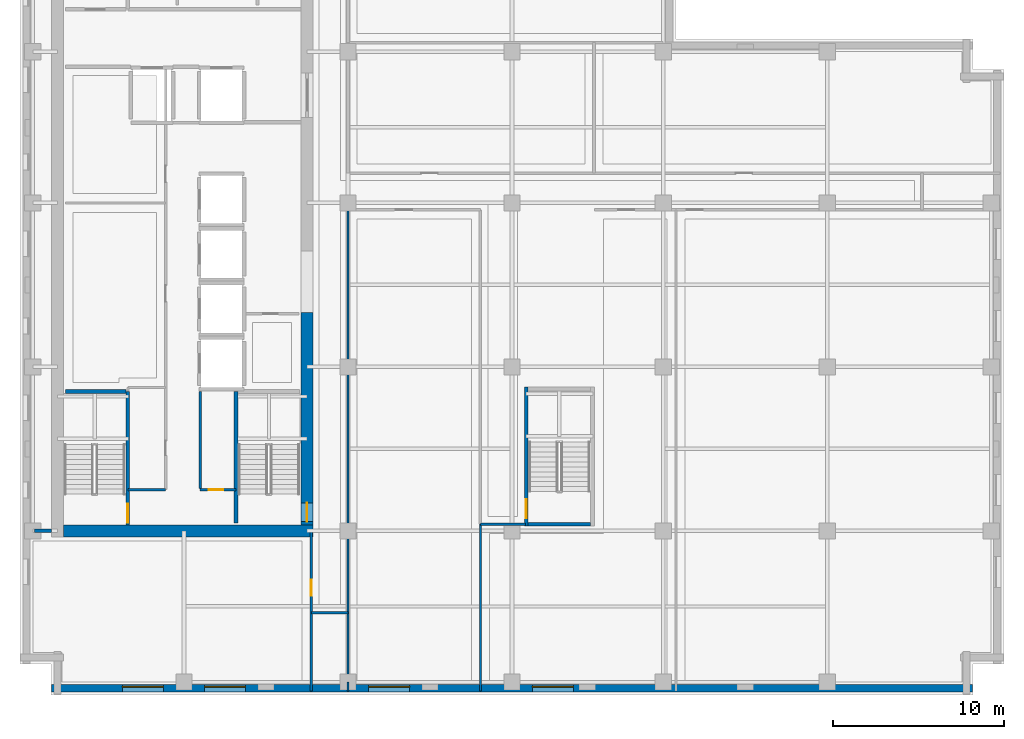
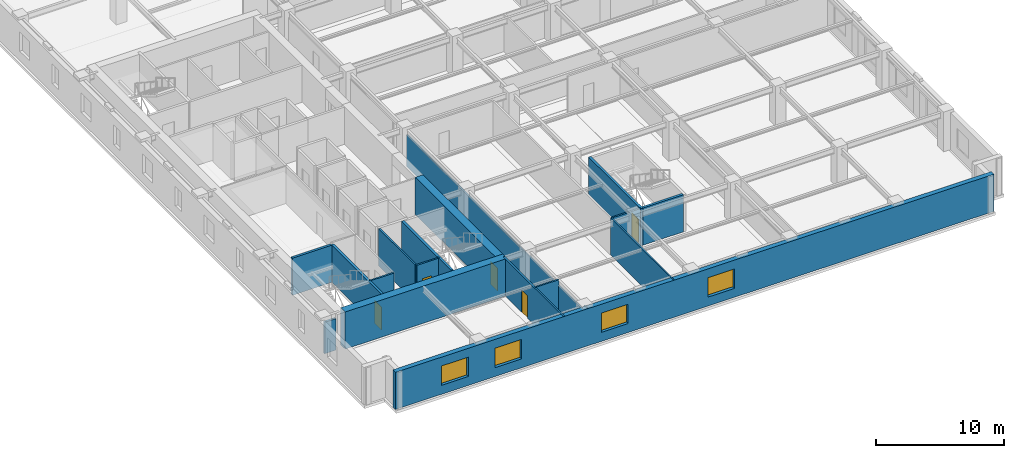
# One storey, part 3 of 12: 18 walls, 5 doors, 4 windows, 9 openings.
"""IFC4 building model written with IfcOpenShell, lengths in metres."""

from ifc_helpers import new_model, si_unit, direction, frame, frame_2d, origin, place, context, subcontext, project, spatial, rectangle, extrude, material, layer, layer_set, type_object, element, fill, save


model = new_model("IFC4")

# Units and contexts
model_context = context("Model", 3, precision=1e-05, world=origin(), true_north=direction((0.0, 1.0)))
body_context = subcontext(model_context, "Body", "Model", "MODEL_VIEW")
ifc_project = project(units=[si_unit("LENGTHUNIT", "METRE"), si_unit("AREAUNIT", "SQUARE_METRE"), si_unit("VOLUMEUNIT", "CUBIC_METRE"), si_unit("PLANEANGLEUNIT", "RADIAN"), si_unit("MASSUNIT", "GRAM", prefix="KILO")], contexts=[model_context])

# Site, building, storey
site_placement = place(None, origin())
site = spatial("IfcSite", under=ifc_project, at=site_placement, CompositionType="ELEMENT")
building_placement = place(site_placement, origin())
building = spatial("IfcBuilding", under=site, at=building_placement, Name="Norrvale University Quadrangle", CompositionType="ELEMENT")
storey_placement = place(building_placement, frame((0.0, 0.0, 182.60009765625)))
storey = spatial("IfcBuildingStorey", under=building, at=storey_placement, Name="L46", CompositionType="ELEMENT", Elevation=182.60009765625)

# Wall, openings, windows
ifc_material_1 = material(Name="Buff Norman Clay Brick Masonry", Category="masonry")
ifc_layer_1 = layer(ifc_material_1, 0.419921875, Name="Buff Norman Clay Brick Masonry")
ifc_layer_set_1 = layer_set([ifc_layer_1], Name="Buff Norman Clay Brick Masonry")
wall_type_1 = type_object("IfcWallType", Name="Wall Buff Brick 420", PredefinedType="SOLIDWALL", material=ifc_layer_set_1)
wall_1_placement = place(storey_placement, frame((1.840087890625, 0.389892578125, 0.0), z_axis=(0.0, 0.0, 1.0), x_axis=(1.0, 0.0, 0.0)))
wall_1 = element("IfcWall", 1, at=wall_1_placement, inside=storey, type_object=wall_type_1, Name="Exterior Brick Facade Wall L46-01.1", PredefinedType="SOLIDWALL", context=body_context, shape_type="SweptSolid", body=[
    extrude(rectangle(XDim=53.919921875, YDim=0.419921875, at=frame_2d((26.9599609375, 0.0))), origin(), (0.0, 0.0, 1.0), 3.539794921875),
])
opening_1_placement = place(wall_1_placement, frame((4.159912109375, 0.0, 0.85009765625)))
opening_1 = element("IfcOpeningElement", 2, at=opening_1_placement, cuts=wall_1, Name="Opening W02", PredefinedType="OPENING", context=body_context, shape_type="SweptSolid", body=[
    extrude(rectangle(XDim=2.39990234375, YDim=1.85009765625, at=frame_2d((1.199951171875, 0.925048828125))), frame((0.0, 0.221923828125, 0.0), z_axis=(0.0, -1.0, 0.0), x_axis=(1.0, 0.0, 0.0)), (0.0, 0.0, 1.0), 0.44384765625),
])
opening_2_placement = place(wall_1_placement, frame((8.9599609375, 0.0, 0.85009765625)))
opening_2 = element("IfcOpeningElement", 3, at=opening_2_placement, cuts=wall_1, Name="Opening W02", PredefinedType="OPENING", context=body_context, shape_type="SweptSolid", body=[
    extrude(rectangle(XDim=2.39990234375, YDim=1.85009765625, at=frame_2d((1.199951171875, 0.925048828125))), frame((0.0, 0.221923828125, 0.0), z_axis=(0.0, -1.0, 0.0), x_axis=(1.0, 0.0, 0.0)), (0.0, 0.0, 1.0), 0.44384765625),
])
opening_3_placement = place(wall_1_placement, frame((18.56005859375, 0.0, 0.85009765625)))
opening_3 = element("IfcOpeningElement", 4, at=opening_3_placement, cuts=wall_1, Name="Opening W02", PredefinedType="OPENING", context=body_context, shape_type="SweptSolid", body=[
    extrude(rectangle(XDim=2.39990234375, YDim=1.85009765625, at=frame_2d((1.199951171875, 0.925048828125))), frame((0.0, 0.221923828125, 0.0), z_axis=(0.0, -1.0, 0.0), x_axis=(1.0, 0.0, 0.0)), (0.0, 0.0, 1.0), 0.44384765625),
])
opening_4_placement = place(wall_1_placement, frame((28.159912109375, 0.0, 0.85009765625)))
opening_4 = element("IfcOpeningElement", 5, at=opening_4_placement, cuts=wall_1, Name="Opening W02", PredefinedType="OPENING", context=body_context, shape_type="SweptSolid", body=[
    extrude(rectangle(XDim=2.39990234375, YDim=1.85009765625, at=frame_2d((1.199951171875, 0.925048828125))), frame((0.0, 0.221923828125, 0.0), z_axis=(0.0, -1.0, 0.0), x_axis=(1.0, 0.0, 0.0)), (0.0, 0.0, 1.0), 0.44384765625),
])
ifc_material_2 = material(Name="Triple Low-E Argon Glazing", Category="glass")
window_type = type_object("IfcWindowType", Name="Window Academic 2400x2300", PartitioningType="TRIPLE_PANEL_VERTICAL", PredefinedType="WINDOW", material=ifc_material_2)
window_1_placement = place(opening_1_placement, origin())
window_1 = element("IfcWindow", 6, at=window_1_placement, inside=storey, type_object=window_type, Name="Window Academic 2400x2300 WIN-L46-E01-1-01", OverallHeight=1.85009765625, OverallWidth=2.39990234375, PartitioningType="TRIPLE_PANEL_VERTICAL", PredefinedType="WINDOW", context=body_context, shape_type="SweptSolid", body=[
    extrude(rectangle(XDim=2.39990234375, YDim=1.85009765625, at=frame_2d((1.199951171875, 0.925048828125))), frame((0.0, 0.110107421875, 0.0), z_axis=(0.0, -1.0, 0.0), x_axis=(1.0, 0.0, 0.0)), (0.0, 0.0, 1.0), 0.06005859375),
])
fill(opening_1, window_1)
window_2_placement = place(opening_2_placement, origin())
window_2 = element("IfcWindow", 7, at=window_2_placement, inside=storey, type_object=window_type, Name="Window Academic 2400x2300 WIN-L46-E01-1-02", OverallHeight=1.85009765625, OverallWidth=2.39990234375, PartitioningType="TRIPLE_PANEL_VERTICAL", PredefinedType="WINDOW", context=body_context, shape_type="SweptSolid", body=[
    extrude(rectangle(XDim=2.39990234375, YDim=1.85009765625, at=frame_2d((1.199951171875, 0.925048828125))), frame((0.0, 0.110107421875, 0.0), z_axis=(0.0, -1.0, 0.0), x_axis=(1.0, 0.0, 0.0)), (0.0, 0.0, 1.0), 0.06005859375),
])
fill(opening_2, window_2)
window_3_placement = place(opening_3_placement, origin())
window_3 = element("IfcWindow", 8, at=window_3_placement, inside=storey, type_object=window_type, Name="Window Academic 2400x2300 WIN-L46-E01-1-03", OverallHeight=1.85009765625, OverallWidth=2.39990234375, PartitioningType="TRIPLE_PANEL_VERTICAL", PredefinedType="WINDOW", context=body_context, shape_type="SweptSolid", body=[
    extrude(rectangle(XDim=2.39990234375, YDim=1.85009765625, at=frame_2d((1.199951171875, 0.925048828125))), frame((0.0, 0.110107421875, 0.0), z_axis=(0.0, -1.0, 0.0), x_axis=(1.0, 0.0, 0.0)), (0.0, 0.0, 1.0), 0.06005859375),
])
fill(opening_3, window_3)
window_4_placement = place(opening_4_placement, origin())
window_4 = element("IfcWindow", 9, at=window_4_placement, inside=storey, type_object=window_type, Name="Window Academic 2400x2300 WIN-L46-E01-1-04", OverallHeight=1.85009765625, OverallWidth=2.39990234375, PartitioningType="TRIPLE_PANEL_VERTICAL", PredefinedType="WINDOW", context=body_context, shape_type="SweptSolid", body=[
    extrude(rectangle(XDim=2.39990234375, YDim=1.85009765625, at=frame_2d((1.199951171875, 0.925048828125))), frame((0.0, 0.110107421875, 0.0), z_axis=(0.0, -1.0, 0.0), x_axis=(1.0, 0.0, 0.0)), (0.0, 0.0, 1.0), 0.06005859375),
])
fill(opening_4, window_4)

# Wall
ifc_material_3 = material(Name="Concrete C60/75", Category="concrete")
ifc_layer_2 = layer(ifc_material_3, 0.699951171875, Name="Concrete C60/75")
ifc_layer_set_2 = layer_set([ifc_layer_2], Name="Concrete C60/75")
wall_type_2 = type_object("IfcWallType", Name="Wall Core 700", PredefinedType="SHEAR", material=ifc_layer_set_2)
wall_2_placement = place(storey_placement, frame((2.550048828125, 9.60009765625, 0.0), z_axis=(0.0, 0.0, 1.0), x_axis=(1.0, 0.0, 0.0)))
element("IfcWall", 10, at=wall_2_placement, inside=storey, type_object=wall_type_2, Name="Tower Core Shear Wall L46-S", PredefinedType="SHEAR", context=body_context, shape_type="SweptSolid", body=[
    extrude(rectangle(XDim=14.599853515625, YDim=0.699951171875, at=frame_2d((7.2998046875, 0.0))), origin(), (0.0, 0.0, 1.0), 3.539794921875),
])

# Wall, opening, door
wall_3_placement = place(storey_placement, frame((16.800048828125, 9.949951171875, 0.0), z_axis=(0.0, 0.0, 1.0), x_axis=(0.0, 1.0, 0.0)))
wall_3 = element("IfcWall", 11, at=wall_3_placement, inside=storey, type_object=wall_type_2, Name="Tower Core Shear Wall L46-E1", PredefinedType="SHEAR", context=body_context, shape_type="SweptSolid", body=[
    extrude(rectangle(XDim=12.449951171875, YDim=0.699951171875, at=frame_2d((6.22509765625, 0.0))), origin(), (0.0, 0.0, 1.0), 3.539794921875),
])
opening_5_placement = place(wall_3_placement, frame((0.18994140625, 0.0, 0.0)))
opening_5 = element("IfcOpeningElement", 12, at=opening_5_placement, cuts=wall_3, Name="Opening D02", PredefinedType="OPENING", context=body_context, shape_type="SweptSolid", body=[
    extrude(rectangle(XDim=1.10009765625, YDim=2.199951171875, at=frame_2d((0.550048828125, 1.10009765625))), frame((0.0, 0.362060546875, 0.0), z_axis=(0.0, -1.0, 0.0), x_axis=(1.0, 0.0, 0.0)), (0.0, 0.0, 1.0), 0.723876953125),
])
ifc_material_4 = material(Name="Hollow Steel 350W Fire Door", Category="steel")
door_type_1 = type_object("IfcDoorType", Name="Door Stair Exit 1100x2200", OperationType="NOTDEFINED", PredefinedType="DOOR", material=ifc_material_4)
door_1_placement = place(opening_5_placement, origin())
door_1 = element("IfcDoor", 13, at=door_1_placement, inside=storey, type_object=door_type_1, Name="Door Stair Exit 1100x2200 DR-L46-ST03", OperationType="SINGLE_SWING_LEFT", OverallHeight=2.199951171875, OverallWidth=1.10009765625, PredefinedType="DOOR", context=body_context, shape_type="SweptSolid", body=[
    extrude(rectangle(XDim=1.10009765625, YDim=2.199951171875, at=frame_2d((0.550048828125, 1.10009765625))), frame((0.0, 0.02490234375, 0.0), z_axis=(0.0, -1.0, 0.0), x_axis=(1.0, 0.0, 0.0)), (0.0, 0.0, 1.0), 0.050048828125),
])
fill(opening_5, door_1)

# Walls
ifc_material_5 = material(Name="Standard Academic Gypsum Partition")
ifc_layer_3 = layer(ifc_material_5, 0.125, Name="Standard Academic Gypsum Partition")
ifc_layer_set_3 = layer_set([ifc_layer_3], Name="Standard Academic Gypsum Partition")
wall_type_3 = type_object("IfcWallType", Name="Wall Gypsum Academic 125", PredefinedType="PARTITIONING", material=ifc_layer_set_3)
wall_4_placement = place(storey_placement, frame((19.199951171875, 0.219970703125, 0.0), z_axis=(0.0, 0.0, 1.0), x_axis=(0.0, 1.0, 0.0)))
element("IfcWall", 14, at=wall_4_placement, inside=storey, type_object=wall_type_3, Name="Interior Partition WL-L46-SE-W0", PredefinedType="PARTITIONING", context=body_context, shape_type="SweptSolid", body=[
    extrude(rectangle(XDim=0.530029296875, YDim=0.125, at=frame_2d((0.26513671875, 0.0))), origin(), (0.0, 0.0, 1.0), 3.539794921875),
])
wall_5_placement = place(storey_placement, frame((19.199951171875, 0.75, 0.0), z_axis=(0.0, 0.0, 1.0), x_axis=(0.0, 1.0, 0.0)))
element("IfcWall", 15, at=wall_5_placement, inside=storey, type_object=wall_type_3, Name="Interior Partition WL-L46-SE-W0-B2", PredefinedType="PARTITIONING", context=body_context, shape_type="SweptSolid", body=[
    extrude(rectangle(XDim=27.64990234375, YDim=0.125, at=frame_2d((13.824951171875, 0.0))), origin(), (0.0, 0.0, 1.0), 3.0068359375),
])
wall_6_placement = place(storey_placement, frame((26.949951171875, 0.219970703125, 0.0), z_axis=(0.0, 0.0, 1.0), x_axis=(0.0, 1.0, 0.0)))
element("IfcWall", 16, at=wall_6_placement, inside=storey, type_object=wall_type_3, Name="Interior Partition WL-L46-SEP1A", PredefinedType="PARTITIONING", context=body_context, shape_type="SweptSolid", body=[
    extrude(rectangle(XDim=9.780029296875, YDim=0.125, at=frame_2d((4.89013671875, 0.0))), origin(), (0.0, 0.0, 1.0), 3.539794921875),
])

# Wall, opening, door
ifc_material_6 = material(Name="Fire-Rated Gypsum Stud Partition")
ifc_layer_4 = layer(ifc_material_6, 0.14990234375, Name="Fire-Rated Gypsum Stud Partition")
ifc_layer_set_4 = layer_set([ifc_layer_4], Name="Fire-Rated Gypsum Stud Partition")
wall_type_4 = type_object("IfcWallType", Name="Wall Gypsum Corridor 150", PredefinedType="PARTITIONING", material=ifc_layer_set_4)
wall_7_placement = place(storey_placement, frame((10.550048828125, 12.02001953125, 0.0), z_axis=(0.0, 0.0, 1.0), x_axis=(1.0, 0.0, 0.0)))
wall_7 = element("IfcWall", 17, at=wall_7_placement, inside=storey, type_object=wall_type_4, Name="Interior Partition WL-L46-SC-NR", PredefinedType="PARTITIONING", context=body_context, shape_type="SweptSolid", body=[
    extrude(rectangle(XDim=2.079833984375, YDim=0.14990234375, at=frame_2d((1.0400390625, 0.0))), origin(), (0.0, 0.0, 1.0), 3.539794921875),
])
opening_6_placement = place(wall_7_placement, frame((0.5, 0.0, 0.0)))
opening_6 = element("IfcOpeningElement", 18, at=opening_6_placement, cuts=wall_7, Name="Opening D10", PredefinedType="OPENING", context=body_context, shape_type="SweptSolid", body=[
    extrude(rectangle(XDim=0.85009765625, YDim=2.10009765625, at=frame_2d((0.425048828125, 1.050048828125))), frame((0.0, 0.0869140625, 0.0), z_axis=(0.0, -1.0, 0.0), x_axis=(1.0, 0.0, 0.0)), (0.0, 0.0, 1.0), 0.173828125),
])
ifc_material_7 = material(Name="Hollow Steel 350W Riser Fire Door", Category="steel")
door_type_2 = type_object("IfcDoorType", Name="Door Riser 850x2100", OperationType="NOTDEFINED", PredefinedType="DOOR", material=ifc_material_7)
door_2_placement = place(opening_6_placement, origin())
door_2 = element("IfcDoor", 19, at=door_2_placement, inside=storey, type_object=door_type_2, Name="Door Riser 850x2100 DR-L46-IDF", OperationType="SINGLE_SWING_RIGHT", OverallHeight=2.10009765625, OverallWidth=0.85009765625, PredefinedType="DOOR", context=body_context, shape_type="SweptSolid", body=[
    extrude(rectangle(XDim=0.85009765625, YDim=2.10009765625, at=frame_2d((0.425048828125, 1.050048828125))), frame((0.0, 0.02490234375, 0.0), z_axis=(0.0, -1.0, 0.0), x_axis=(1.0, 0.0, 0.0)), (0.0, 0.0, 1.0), 0.050048828125),
])
fill(opening_6, door_2)

# Walls
wall_8_placement = place(storey_placement, frame((10.550048828125, 12.094970703125, 0.0), z_axis=(0.0, 0.0, 1.0), x_axis=(0.0, 1.0, 0.0)))
element("IfcWall", 20, at=wall_8_placement, inside=storey, type_object=wall_type_4, Name="Interior Partition WL-L46-SC-WR", PredefinedType="PARTITIONING", context=body_context, shape_type="SweptSolid", body=[
    extrude(rectangle(XDim=5.679931640625, YDim=0.14990234375, at=frame_2d((2.83984375, 0.0))), origin(), (0.0, 0.0, 1.0), 3.539794921875),
])
wall_9_placement = place(storey_placement, frame((6.320068359375, 12.02001953125, 0.0), z_axis=(0.0, 0.0, 1.0), x_axis=(1.0, 0.0, 0.0)))
element("IfcWall", 21, at=wall_9_placement, inside=storey, type_object=wall_type_4, Name="Interior Partition WL-L46-REC-S", PredefinedType="PARTITIONING", context=body_context, shape_type="SweptSolid", body=[
    extrude(rectangle(XDim=2.199951171875, YDim=0.14990234375, at=frame_2d((1.10009765625, 0.0))), origin(), (0.0, 0.0, 1.0), 3.539794921875),
])
wall_10_placement = place(storey_placement, frame((17.050048828125, 4.800048828125, 0.0), z_axis=(0.0, 0.0, 1.0), x_axis=(1.0, 0.0, 0.0)))
element("IfcWall", 22, at=wall_10_placement, inside=storey, type_object=wall_type_4, Name="Interior Partition WL-L46-CSP-S", PredefinedType="PARTITIONING", context=body_context, shape_type="SweptSolid", body=[
    extrude(rectangle(XDim=2.14990234375, YDim=0.14990234375, at=frame_2d((1.074951171875, 0.0))), origin(), (0.0, 0.0, 1.0), 3.539794921875),
])

# Wall, opening, door
wall_11_placement = place(storey_placement, frame((17.050048828125, 0.219970703125, 0.0), z_axis=(0.0, 0.0, 1.0), x_axis=(0.0, 1.0, 0.0)))
wall_11 = element("IfcWall", 23, at=wall_11_placement, inside=storey, type_object=wall_type_4, Name="Interior Partition WL-L46-SW-E", PredefinedType="PARTITIONING", context=body_context, shape_type="SweptSolid", body=[
    extrude(rectangle(XDim=9.380126953125, YDim=0.14990234375, at=frame_2d((4.68994140625, 0.0))), origin(), (0.0, 0.0, 1.0), 3.539794921875),
])
opening_7_placement = place(wall_11_placement, frame((5.580078125, 0.0, 0.0)))
opening_7 = element("IfcOpeningElement", 24, at=opening_7_placement, cuts=wall_11, Name="Opening D07", PredefinedType="OPENING", context=body_context, shape_type="SweptSolid", body=[
    extrude(rectangle(XDim=0.949951171875, YDim=2.14990234375, at=frame_2d((0.47509765625, 1.074951171875))), frame((0.0, 0.0869140625, 0.0), z_axis=(0.0, -1.0, 0.0), x_axis=(1.0, 0.0, 0.0)), (0.0, 0.0, 1.0), 0.173828125),
])
ifc_material_8 = material(Name="Solid-Core Maple Door", Category="wood")
door_type_3 = type_object("IfcDoorType", Name="Door Office 950x2150", OperationType="NOTDEFINED", PredefinedType="DOOR", material=ifc_material_8)
door_3_placement = place(opening_7_placement, origin())
door_3 = element("IfcDoor", 25, at=door_3_placement, inside=storey, type_object=door_type_3, Name="Door Office 950x2150 DR-L46-SW1", OperationType="SINGLE_SWING_LEFT", OverallHeight=2.14990234375, OverallWidth=0.949951171875, PredefinedType="DOOR", context=body_context, shape_type="SweptSolid", body=[
    extrude(rectangle(XDim=0.949951171875, YDim=2.14990234375, at=frame_2d((0.47509765625, 1.074951171875))), frame((0.0, 0.02490234375, 0.0), z_axis=(0.0, -1.0, 0.0), x_axis=(1.0, 0.0, 0.0)), (0.0, 0.0, 1.0), 0.050048828125),
])
fill(opening_7, door_3)

# Walls
wall_12_placement = place(storey_placement, frame((26.949951171875, 10.0, 0.0), z_axis=(0.0, 0.0, 1.0), x_axis=(1.0, 0.0, 0.0)))
element("IfcWall", 26, at=wall_12_placement, inside=storey, type_object=wall_type_4, Name="Interior Partition WL-L46-SEP1C", PredefinedType="PARTITIONING", context=body_context, shape_type="SweptSolid", body=[
    extrude(rectangle(XDim=2.630126953125, YDim=0.14990234375, at=frame_2d((1.31494140625, 0.0))), origin(), (0.0, 0.0, 1.0), 3.539794921875),
])
ifc_material_9 = material(Name="Concrete Blockwork 20 MPa Rated Wall", Category="masonry")
ifc_layer_5 = layer(ifc_material_9, 0.199951171875, Name="Concrete Blockwork 20 MPa Rated Wall")
ifc_layer_set_5 = layer_set([ifc_layer_5], Name="Concrete Blockwork 20 MPa Rated Wall")
wall_type_5 = type_object("IfcWallType", Name="Wall Lobby 200", PredefinedType="SOLIDWALL", material=ifc_layer_set_5)
wall_13_placement = place(storey_placement, frame((0.85009765625, 9.60009765625, 0.0), z_axis=(0.0, 0.0, 1.0), x_axis=(1.0, 0.0, 0.0)))
element("IfcWall", 27, at=wall_13_placement, inside=storey, type_object=wall_type_5, Name="Interior Partition WL-L46-CWRET-S", PredefinedType="SOLIDWALL", context=body_context, shape_type="SweptSolid", body=[
    extrude(rectangle(XDim=0.994873046875, YDim=0.199951171875, at=frame_2d((0.49755859375, 0.0))), origin(), (0.0, 0.0, 1.0), 3.0068359375),
])

# Wall, opening, door
ifc_material_10 = material(Name="Concrete Blockwork 20 MPa Fire Shaft", Category="masonry")
ifc_layer_6 = layer(ifc_material_10, 0.219970703125, Name="Concrete Blockwork 20 MPa Fire Shaft")
ifc_layer_set_6 = layer_set([ifc_layer_6], Name="Concrete Blockwork 20 MPa Fire Shaft")
wall_type_6 = type_object("IfcWallType", Name="Wall Shaft 220", PredefinedType="SOLIDWALL", material=ifc_layer_set_6)
wall_14_placement = place(storey_placement, frame((6.31005859375, 9.949951171875, 0.0), z_axis=(0.0, 0.0, 1.0), x_axis=(0.0, 1.0, 0.0)))
wall_14 = element("IfcWall", 28, at=wall_14_placement, inside=storey, type_object=wall_type_6, Name="Stair ST-01 East Shaft Wall L46", PredefinedType="SOLIDWALL", context=body_context, shape_type="SweptSolid", body=[
    extrude(rectangle(XDim=7.81005859375, YDim=0.219970703125, at=frame_2d((3.905029296875, 0.0))), origin(), (0.0, 0.0, 1.0), 3.539794921875),
])
opening_8_placement = place(wall_14_placement, frame((0.139892578125, 0.0, 0.0)))
opening_8 = element("IfcOpeningElement", 29, at=opening_8_placement, cuts=wall_14, Name="Opening D02", PredefinedType="OPENING", context=body_context, shape_type="SweptSolid", body=[
    extrude(rectangle(XDim=1.10009765625, YDim=2.199951171875, at=frame_2d((0.550048828125, 1.10009765625))), frame((0.0, 0.1220703125, 0.0), z_axis=(0.0, -1.0, 0.0), x_axis=(1.0, 0.0, 0.0)), (0.0, 0.0, 1.0), 0.243896484375),
])
door_4_placement = place(opening_8_placement, origin())
door_4 = element("IfcDoor", 30, at=door_4_placement, inside=storey, type_object=door_type_1, Name="Door Stair Exit 1100x2200 DR-L46-ST01", OperationType="SINGLE_SWING_LEFT", OverallHeight=2.199951171875, OverallWidth=1.10009765625, PredefinedType="DOOR", context=body_context, shape_type="SweptSolid", body=[
    extrude(rectangle(XDim=1.10009765625, YDim=2.199951171875, at=frame_2d((0.550048828125, 1.10009765625))), frame((0.0, 0.02490234375, 0.0), z_axis=(0.0, -1.0, 0.0), x_axis=(1.0, 0.0, 0.0)), (0.0, 0.0, 1.0), 0.050048828125),
])
fill(opening_8, door_4)

# Walls
wall_15_placement = place(storey_placement, frame((2.64990234375, 17.760009765625, 0.0), z_axis=(0.0, 0.0, 1.0), x_axis=(1.0, 0.0, 0.0)))
element("IfcWall", 31, at=wall_15_placement, inside=storey, type_object=wall_type_6, Name="Stair ST-01 North Shaft Wall L46", PredefinedType="SOLIDWALL", context=body_context, shape_type="SweptSolid", body=[
    extrude(rectangle(XDim=3.550048828125, YDim=0.219970703125, at=frame_2d((1.77490234375, 0.0))), origin(), (0.0, 0.0, 1.0), 3.539794921875),
])
wall_16_placement = place(storey_placement, frame((12.639892578125, 10.050048828125, 0.0), z_axis=(0.0, 0.0, 1.0), x_axis=(0.0, 1.0, 0.0)))
element("IfcWall", 32, at=wall_16_placement, inside=storey, type_object=wall_type_6, Name="Stair ST-03 West Shaft Wall L46", PredefinedType="SOLIDWALL", context=body_context, shape_type="SweptSolid", body=[
    extrude(rectangle(XDim=7.7099609375, YDim=0.219970703125, at=frame_2d((3.85498046875, 0.0))), origin(), (0.0, 0.0, 1.0), 3.539794921875),
])
wall_17_placement = place(storey_placement, frame((29.75, 9.989990234375, 0.0), z_axis=(0.0, 0.0, 1.0), x_axis=(1.0, 0.0, 0.0)))
element("IfcWall", 33, at=wall_17_placement, inside=storey, type_object=wall_type_6, Name="Stair ST-04 South Shaft Wall L46", PredefinedType="SOLIDWALL", context=body_context, shape_type="SweptSolid", body=[
    extrude(rectangle(XDim=3.64990234375, YDim=0.219970703125, at=frame_2d((1.824951171875, 0.0))), origin(), (0.0, 0.0, 1.0), 3.539794921875),
])

# Wall, opening, door
wall_18_placement = place(storey_placement, frame((29.639892578125, 9.8798828125, 0.0), z_axis=(0.0, 0.0, 1.0), x_axis=(0.0, 1.0, 0.0)))
wall_18 = element("IfcWall", 34, at=wall_18_placement, inside=storey, type_object=wall_type_6, Name="Stair ST-04 West Shaft Wall L46", PredefinedType="SOLIDWALL", context=body_context, shape_type="SweptSolid", body=[
    extrude(rectangle(XDim=8.14013671875, YDim=0.219970703125, at=frame_2d((4.070068359375, 0.0))), origin(), (0.0, 0.0, 1.0), 3.539794921875),
])
opening_9_placement = place(wall_18_placement, frame((0.469970703125, 0.0, 0.0)))
opening_9 = element("IfcOpeningElement", 35, at=opening_9_placement, cuts=wall_18, Name="Opening D02", PredefinedType="OPENING", context=body_context, shape_type="SweptSolid", body=[
    extrude(rectangle(XDim=1.10009765625, YDim=2.199951171875, at=frame_2d((0.550048828125, 1.10009765625))), frame((0.0, 0.1220703125, 0.0), z_axis=(0.0, -1.0, 0.0), x_axis=(1.0, 0.0, 0.0)), (0.0, 0.0, 1.0), 0.243896484375),
])
door_5_placement = place(opening_9_placement, frame((1.10009765625, 0.0, 0.0), z_axis=(0.0, 0.0, 1.0), x_axis=(-1.0, 0.0, 0.0)))
door_5 = element("IfcDoor", 36, at=door_5_placement, inside=storey, type_object=door_type_1, Name="Door Stair Exit 1100x2200 DR-L46-ST04", OperationType="SINGLE_SWING_RIGHT", OverallHeight=2.199951171875, OverallWidth=1.10009765625, PredefinedType="DOOR", context=body_context, shape_type="SweptSolid", body=[
    extrude(rectangle(XDim=1.10009765625, YDim=2.199951171875, at=frame_2d((0.550048828125, 1.10009765625))), frame((0.0, 0.02490234375, 0.0), z_axis=(0.0, -1.0, 0.0), x_axis=(1.0, 0.0, 0.0)), (0.0, 0.0, 1.0), 0.050048828125),
])
fill(opening_9, door_5)

save(model, "model.ifc")
